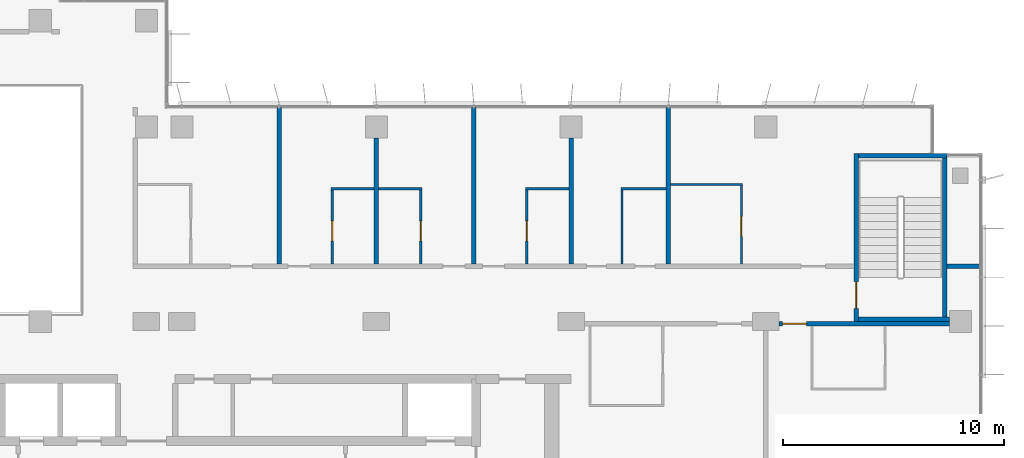
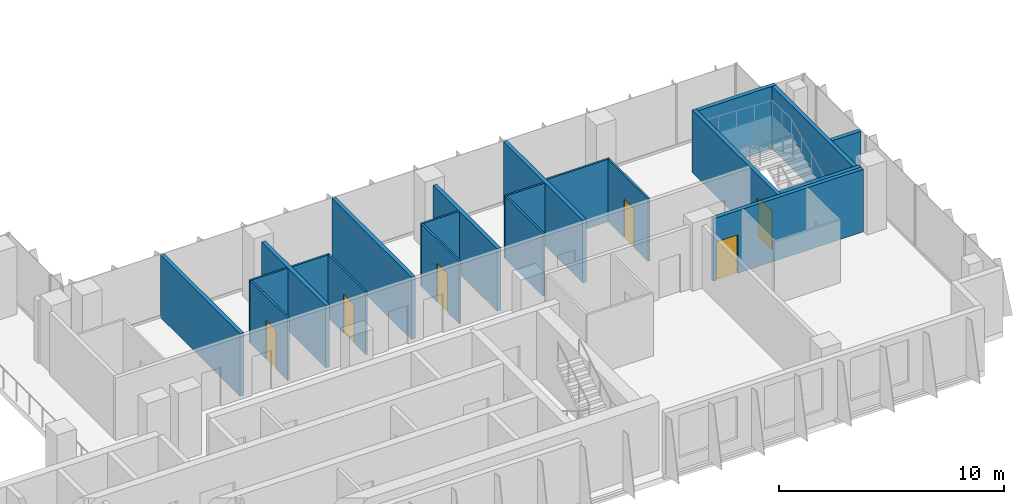
# One storey, part 15 of 21: 21 walls, 6 doors, 6 openings.
"""IFC4 building model written with IfcOpenShell, lengths in metres."""

import ifcopenshell
import ifcopenshell.guid

model = None  # the IFC model being written
_history = None  # IfcOwnerHistory: only IFC2X3 demands one
_inside = {}  # id of a spatial element -> (the spatial element, [elements in it])
_under = {}  # id of a project, library or spatial element -> (it, [spatial elements below it])
_declared = {}  # id of a project -> (the project, [libraries it declares])
_typed = {}  # id of a type object -> (the type object, [elements of that type])
_made_of = {}  # id of a material, layer set ... -> (it, [elements and type objects made of it])


def new_model(schema):
    """Start an empty IFC model of exactly this schema.

    Asked for "IFC4X3", IfcOpenShell would pick the latest addendum, in which some entities
    have other attributes; the version numbers below select the first issue.
    IFC2X3 requires an IfcOwnerHistory on every rooted entity: one is made here for all.
    """
    global model, _history
    if schema == "IFC4X3":
        model = ifcopenshell.file(schema_version=(4, 3, 0, 0))
    else:
        model = ifcopenshell.file(schema=schema)
    _inside.clear()
    _under.clear()
    _declared.clear()
    _typed.clear()
    _made_of.clear()
    _history = None
    if model.schema == "IFC2X3":
        org = make("IfcOrganization", Name="unknown")
        user = make(
            "IfcPersonAndOrganization",
            ThePerson=make("IfcPerson", FamilyName="unknown"),
            TheOrganization=org,
        )
        app = make(
            "IfcApplication",
            ApplicationDeveloper=org,
            Version="unknown",
            ApplicationFullName="unknown",
            ApplicationIdentifier="unknown",
        )
        _history = make(
            "IfcOwnerHistory",
            OwningUser=user,
            OwningApplication=app,
            ChangeAction="ADDED",
            CreationDate=0,
        )
    return model


def make(cls, **values):
    """One entity of the class cls with the attributes given. An attribute that is None is left unset."""
    return model.create_entity(
        cls, **{name: value for name, value in values.items() if value is not None}
    )


def rooted(cls, **values):
    """An entity with a GlobalId (a new one), such as an element, a storey or a relation."""
    return make(cls, GlobalId=ifcopenshell.guid.new(), OwnerHistory=_history, **values)


def si_unit(unit_type, name, prefix=None):
    """IfcSIUnit, for example si_unit("LENGTHUNIT", "METRE", prefix="MILLI")."""
    return make("IfcSIUnit", UnitType=unit_type, Prefix=prefix, Name=name)


def assignment(units):
    """IfcUnitAssignment: the units of a project."""
    return None if units is None else make("IfcUnitAssignment", Units=units)


def point(xyz):
    """IfcCartesianPoint."""
    return None if xyz is None else make("IfcCartesianPoint", Coordinates=xyz)


def direction(xyz):
    """IfcDirection."""
    return None if xyz is None else make("IfcDirection", DirectionRatios=xyz)


def frame(location, z_axis=None, x_axis=None):
    """IfcAxis2Placement3D, a coordinate frame: its origin and axes. An axis left out is left unset."""
    return make(
        "IfcAxis2Placement3D",
        Location=point(location),
        Axis=direction(z_axis),
        RefDirection=direction(x_axis),
    )


def frame_2d(location, x_axis=None):
    """IfcAxis2Placement2D, a coordinate frame in the plane: its origin and x axis."""
    return make(
        "IfcAxis2Placement2D", Location=point(location), RefDirection=direction(x_axis)
    )


def origin():
    """The frame at (0, 0, 0) with its axes left unset."""
    return frame((0.0, 0.0, 0.0))


def place(relative_to, where):
    """IfcLocalPlacement: puts the frame where relative to a parent placement (None: the world)."""
    return make(
        "IfcLocalPlacement", PlacementRelTo=relative_to, RelativePlacement=where
    )


def context(
    kind, dimensions, precision=None, world=None, true_north=None, identifier=None
):
    """IfcGeometricRepresentationContext, for example the 3D "Model" context."""
    return make(
        "IfcGeometricRepresentationContext",
        ContextIdentifier=identifier,
        ContextType=kind,
        CoordinateSpaceDimension=dimensions,
        Precision=precision,
        WorldCoordinateSystem=world,
        TrueNorth=true_north,
    )


def subcontext(parent, identifier, kind, view, scale=None):
    """IfcGeometricRepresentationSubContext, for example "Body" below "Model"."""
    return make(
        "IfcGeometricRepresentationSubContext",
        ContextIdentifier=identifier,
        ContextType=kind,
        ParentContext=parent,
        TargetScale=scale,
        TargetView=view,
    )


def project(units=None, contexts=None):
    """IfcProject with its units and contexts."""
    return rooted(
        "IfcProject",
        Name="project",
        RepresentationContexts=contexts,
        UnitsInContext=assignment(units),
    )


def spatial(cls, under=None, at=None, **own):
    """A site, building, storey or space (cls), placed at a placement, below another one or the project."""
    s = rooted(cls, ObjectPlacement=at, **own)
    if under is not None:
        _under.setdefault(under.id(), (under, []))[1].append(s)
    return s


def profile(cls, at=None, kind="AREA", **sizes):
    """A parametric profile (cls). Its sizes go by their IFC names, for example OverallWidth=200.0."""
    return make(cls, ProfileType=kind, Position=at, **sizes)


def rectangle(**sizes):
    """IfcRectangleProfileDef."""
    return profile("IfcRectangleProfileDef", **sizes)


def extrude(swept, where, along, depth):
    """IfcExtrudedAreaSolid: the profile swept, set in the frame where, extruded along a direction by depth."""
    return make(
        "IfcExtrudedAreaSolid",
        SweptArea=swept,
        Position=where,
        ExtrudedDirection=direction(along),
        Depth=depth,
    )


def shape(context_of_items, identifier, shape_type, items):
    """IfcShapeRepresentation: the items that make up one representation, for example the "Body"."""
    return make(
        "IfcShapeRepresentation",
        ContextOfItems=context_of_items,
        RepresentationIdentifier=identifier,
        RepresentationType=shape_type,
        Items=items,
    )


def material(Name=None, Category=None):
    """IfcMaterial."""
    return make("IfcMaterial", Name=Name, Category=Category)


def layer(
    of_material, thickness, ventilated=None, Name=None, Category=None, Priority=None
):
    """IfcMaterialLayer: one layer of a wall or slab, of a material (None: an air gap)."""
    return make(
        "IfcMaterialLayer",
        Material=of_material,
        LayerThickness=thickness,
        IsVentilated=ventilated,
        Name=Name,
        Category=Category,
        Priority=Priority,
    )


def layer_set(layers, Name=None):
    """IfcMaterialLayerSet."""
    return make("IfcMaterialLayerSet", MaterialLayers=layers, LayerSetName=Name)


def made_of(thing, what):
    """Note that an element or type object is made of a material, layer set ...; save() writes the relation."""
    if what is not None:
        _made_of.setdefault(what.id(), (what, []))[1].append(thing)
    return thing


def type_object(cls, material=None, **own):
    """A type object (cls), such as IfcWallType, which elements share."""
    return made_of(rooted(cls, **own), material)


def element(
    cls,
    number,
    at=None,
    inside=None,
    cuts=None,
    type_object=None,
    material=None,
    context=None,
    identifier="Body",
    shape_type=None,
    held_by="IfcProductDefinitionShape",
    body=None,
    shapes=None,
    **own,
):
    """One element of the class cls, such as IfcWall. Its Tag is "e" and its number.

    at: its placement. inside: the storey or other place that contains it. cuts: it is an
    opening in that element (IfcRelVoidsElement). A single representation is given by context,
    identifier, shape_type and body (its items); several are given by shapes. held_by: the class
    of the entity that holds the representations. save() writes the other relations.
    """
    e = rooted(cls, Tag="e%d" % number, ObjectPlacement=at, **own)
    if body is not None:
        shapes = [shape(context, identifier, shape_type, body)]
    if shapes is not None:
        e.Representation = make(held_by, Representations=shapes)
    if inside is not None:
        _inside.setdefault(inside.id(), (inside, []))[1].append(e)
    if cuts is not None:
        rooted(
            "IfcRelVoidsElement", RelatingBuildingElement=cuts, RelatedOpeningElement=e
        )
    if type_object is not None:
        _typed.setdefault(type_object.id(), (type_object, []))[1].append(e)
    return made_of(e, material)


def fill(opening, filler):
    """IfcRelFillsElement: the door or window that sits in an opening."""
    return rooted(
        "IfcRelFillsElement",
        RelatingOpeningElement=opening,
        RelatedBuildingElement=filler,
    )


def aggregate(whole, parts):
    """IfcRelAggregates: a whole, such as a stair, and the parts it consists of."""
    return rooted("IfcRelAggregates", RelatingObject=whole, RelatedObjects=parts)


def save(model, path):
    """Write the relations noted so far, then the file.

    IfcRelAggregates (storeys below a building ...), IfcRelContainedInSpatialStructure (elements
    in a storey), IfcRelDefinesByType, IfcRelAssociatesMaterial and IfcRelDeclares: one each for
    every whole, place, type object, material and project.
    """
    for whole, parts in _under.values():
        aggregate(whole, parts)
    for where, things in _inside.values():
        rooted(
            "IfcRelContainedInSpatialStructure",
            RelatedElements=things,
            RelatingStructure=where,
        )
    for kind, things in _typed.values():
        rooted("IfcRelDefinesByType", RelatedObjects=things, RelatingType=kind)
    for what, things in _made_of.values():
        rooted("IfcRelAssociatesMaterial", RelatedObjects=things, RelatingMaterial=what)
    for by, libraries in _declared.values():
        rooted("IfcRelDeclares", RelatingContext=by, RelatedDefinitions=libraries)
    model.write(path)


model = new_model("IFC4")

# Units and contexts
model_context = context("Model", 3, precision=1e-05, world=origin(), true_north=direction((0.0, 1.0)))
body_context = subcontext(model_context, "Body", "Model", "MODEL_VIEW")
ifc_project = project(units=[si_unit("LENGTHUNIT", "METRE"), si_unit("AREAUNIT", "SQUARE_METRE"), si_unit("VOLUMEUNIT", "CUBIC_METRE"), si_unit("PLANEANGLEUNIT", "RADIAN"), si_unit("MASSUNIT", "GRAM", prefix="KILO")], contexts=[model_context])

# Site, building, storey
site_placement = place(None, origin())
site = spatial("IfcSite", under=ifc_project, at=site_placement, CompositionType="ELEMENT")
building_placement = place(site_placement, origin())
building = spatial("IfcBuilding", under=site, at=building_placement, Name="Kemantara Hotel Tower", CompositionType="ELEMENT")
storey_placement = place(building_placement, frame((0.0, 0.0, 171.60009765625)))
storey = spatial("IfcBuildingStorey", under=building, at=storey_placement, Name="L42", CompositionType="ELEMENT", Elevation=171.60009765625)

# Wall, opening, door
ifc_material_1 = material(Name="Gypsum board partition, steel studs and mineral wool, 200 mm", Category="steel")
ifc_layer_1 = layer(ifc_material_1, 0.199951171875)
ifc_layer_set_1 = layer_set([ifc_layer_1], Name="Gypsum board partition, steel studs and mineral wool, 200 mm")
wall_type_1 = type_object("IfcWallType", Name="CORRIDOR WALL 200", PredefinedType="PARTITIONING", material=ifc_layer_set_1)
wall_1_placement = place(storey_placement, frame((62.099853515625, 12.10009765625, 0.0), z_axis=(0.0, 0.0, 1.0), x_axis=(-1.0, 0.0, 0.0)))
wall_1 = element("IfcWall", 1, at=wall_1_placement, inside=storey, type_object=wall_type_1, Name="CORRIDOR WALL 200 002", PredefinedType="PARTITIONING", context=body_context, shape_type="SweptSolid", body=[
    extrude(rectangle(XDim=7.69970703125, YDim=0.199951171875, at=frame_2d((3.849853515625, 0.0))), origin(), (0.0, 0.0, 1.0), 3.39990234375),
])
opening_1_placement = place(wall_1_placement, frame((6.449951171875, 0.0, 0.0)))
opening_1 = element("IfcOpeningElement", 2, at=opening_1_placement, cuts=wall_1, Name="Opening F19-003", PredefinedType="OPENING", context=body_context, shape_type="SweptSolid", body=[
    extrude(rectangle(XDim=1.10009765625, YDim=2.10009765625, at=frame_2d((0.550048828125, 1.050048828125))), frame((0.0, 0.10986328125, 0.0), z_axis=(0.0, -1.0, 0.0), x_axis=(1.0, 0.0, 0.0)), (0.0, 0.0, 1.0), 0.219970703125),
])
ifc_material_2 = material(Name="Hardwood veneer door leaf with steel frame", Category="steel")
door_type_1 = type_object("IfcDoorType", Name="SUITE ENTRANCE DOOR 1100 X 2100 FD30S", OperationType="NOTDEFINED", PredefinedType="DOOR", material=ifc_material_2)
door_1_placement = place(opening_1_placement, origin())
door_1 = element("IfcDoor", 3, at=door_1_placement, inside=storey, type_object=door_type_1, Name="SUITE ENTRANCE DOOR F19-003", OperationType="SINGLE_SWING_LEFT", OverallHeight=2.10009765625, OverallWidth=1.10009765625, PredefinedType="DOOR", context=body_context, shape_type="SweptSolid", body=[
    extrude(rectangle(XDim=1.10009765625, YDim=2.10009765625, at=frame_2d((0.550048828125, 1.050048828125))), frame((0.0, 0.02490234375, 0.0), z_axis=(0.0, -1.0, 0.0), x_axis=(1.0, 0.0, 0.0)), (0.0, 0.0, 1.0), 0.050048828125),
])
fill(opening_1, door_1)

# Wall
wall_2_placement = place(storey_placement, frame((62.0, 14.699951171875, 0.0), z_axis=(0.0, 0.0, 1.0), x_axis=(1.0, 0.0, 0.0)))
element("IfcWall", 4, at=wall_2_placement, inside=storey, type_object=wall_type_1, Name="CORRIDOR WALL 200 005", PredefinedType="PARTITIONING", context=body_context, shape_type="SweptSolid", body=[
    extrude(rectangle(XDim=1.47998046875, YDim=0.199951171875, at=frame_2d((0.739990234375, 0.0))), origin(), (0.0, 0.0, 1.0), 3.39990234375),
])

# Wall, opening, door
ifc_material_3 = material(Name="Concrete fc 40 MPa", Category="concrete")
ifc_layer_2 = layer(ifc_material_3, 0.199951171875)
ifc_layer_set_2 = layer_set([ifc_layer_2], Name="Concrete fc 40 MPa")
wall_type_2 = type_object("IfcWallType", Name="Concrete stair wall 200 mm", PredefinedType="SHEAR", material=ifc_layer_set_2)
wall_3_placement = place(storey_placement, frame((57.89990234375, 12.199951171875, 0.0), z_axis=(0.0, 0.0, 1.0), x_axis=(0.0, 1.0, 0.0)))
wall_3 = element("IfcWall", 5, at=wall_3_placement, inside=storey, type_object=wall_type_2, Name="Stair ST3 enclosure wall with door", PredefinedType="SHEAR", context=body_context, shape_type="SweptSolid", body=[
    extrude(rectangle(XDim=7.60009765625, YDim=0.199951171875, at=frame_2d((3.800048828125, 0.0))), origin(), (0.0, 0.0, 1.0), 3.39990234375),
])
opening_2_placement = place(wall_3_placement, frame((0.60009765625, 0.0, 0.0)))
opening_2 = element("IfcOpeningElement", 6, at=opening_2_placement, cuts=wall_3, Name="Opening ST3-C", PredefinedType="OPENING", context=body_context, shape_type="SweptSolid", body=[
    extrude(rectangle(XDim=1.199951171875, YDim=2.10009765625, at=frame_2d((0.60009765625, 1.050048828125))), frame((0.0, 0.10986328125, 0.0), z_axis=(0.0, -1.0, 0.0), x_axis=(1.0, 0.0, 0.0)), (0.0, 0.0, 1.0), 0.219970703125),
])
ifc_material_4 = material(Name="Steel fire door", Category="steel")
door_type_2 = type_object("IfcDoorType", Name="Fire door FD90 1200 x 2100", OperationType="NOTDEFINED", PredefinedType="DOOR", material=ifc_material_4)
door_2_placement = place(opening_2_placement, frame((1.199951171875, 0.0, 0.0), z_axis=(0.0, 0.0, 1.0), x_axis=(-1.0, 0.0, 0.0)))
door_2 = element("IfcDoor", 7, at=door_2_placement, inside=storey, type_object=door_type_2, Name="Stair ST3 door", OperationType="SINGLE_SWING_RIGHT", OverallHeight=2.10009765625, OverallWidth=1.199951171875, PredefinedType="DOOR", context=body_context, shape_type="SweptSolid", body=[
    extrude(rectangle(XDim=1.199951171875, YDim=2.10009765625, at=frame_2d((0.60009765625, 1.050048828125))), frame((0.0, 0.02490234375, 0.0), z_axis=(0.0, -1.0, 0.0), x_axis=(1.0, 0.0, 0.0)), (0.0, 0.0, 1.0), 0.050048828125),
])
fill(opening_2, door_2)

# Walls
wall_4_placement = place(storey_placement, frame((58.0, 19.699951171875, 0.0), z_axis=(0.0, 0.0, 1.0), x_axis=(1.0, 0.0, 0.0)))
element("IfcWall", 8, at=wall_4_placement, inside=storey, type_object=wall_type_2, Name="Stair ST3 enclosure wall N", PredefinedType="SHEAR", context=body_context, shape_type="SweptSolid", body=[
    extrude(rectangle(XDim=4.0, YDim=0.199951171875, at=frame_2d((2.0, 0.0))), origin(), (0.0, 0.0, 1.0), 3.39990234375),
])
wall_5_placement = place(storey_placement, frame((58.0, 12.300048828125, 0.0), z_axis=(0.0, 0.0, 1.0), x_axis=(1.0, 0.0, 0.0)))
element("IfcWall", 9, at=wall_5_placement, inside=storey, type_object=wall_type_2, Name="Stair ST3 enclosure wall S", PredefinedType="SHEAR", context=body_context, shape_type="SweptSolid", body=[
    extrude(rectangle(XDim=4.10009765625, YDim=0.199951171875, at=frame_2d((2.050048828125, 0.0))), origin(), (0.0, 0.0, 1.0), 3.39990234375),
])
wall_6_placement = place(storey_placement, frame((61.89990234375, 12.39990234375, 0.0), z_axis=(0.0, 0.0, 1.0), x_axis=(0.0, 1.0, 0.0)))
element("IfcWall", 10, at=wall_6_placement, inside=storey, type_object=wall_type_2, Name="Stair ST3 enclosure wall E", PredefinedType="SHEAR", context=body_context, shape_type="SweptSolid", body=[
    extrude(rectangle(XDim=7.2001953125, YDim=0.199951171875, at=frame_2d((3.60009765625, 0.0))), origin(), (0.0, 0.0, 1.0), 3.39990234375),
])
ifc_layer_3 = layer(ifc_material_1, 0.199951171875)
ifc_layer_set_3 = layer_set([ifc_layer_3], Name="Gypsum board partition, steel studs and mineral wool, 200 mm")
wall_type_3 = type_object("IfcWallType", Name="GUEST ROOM PARTY WALL 200", PredefinedType="PARTITIONING", material=ifc_layer_set_3)
wall_7_placement = place(storey_placement, frame((31.800048828125, 14.800048828125, 0.0), z_axis=(0.0, 0.0, 1.0), x_axis=(0.0, 1.0, 0.0)))
element("IfcWall", 11, at=wall_7_placement, inside=storey, type_object=wall_type_3, Name="GUEST ROOM PARTY WALL 200 008", PredefinedType="PARTITIONING", context=body_context, shape_type="SweptSolid", body=[
    extrude(rectangle(XDim=7.070068359375, YDim=0.199951171875, at=frame_2d((3.53515625, 0.0))), origin(), (0.0, 0.0, 1.0), 3.39990234375),
])
wall_8_placement = place(storey_placement, frame((36.199951171875, 14.800048828125, 0.0), z_axis=(0.0, 0.0, 1.0), x_axis=(0.0, 1.0, 0.0)))
element("IfcWall", 12, at=wall_8_placement, inside=storey, type_object=wall_type_3, Name="GUEST ROOM PARTY WALL 200 009", PredefinedType="PARTITIONING", context=body_context, shape_type="SweptSolid", body=[
    extrude(rectangle(XDim=5.699951171875, YDim=0.199951171875, at=frame_2d((2.85009765625, 0.0))), origin(), (0.0, 0.0, 1.0), 3.39990234375),
])
wall_9_placement = place(storey_placement, frame((40.60009765625, 14.800048828125, 0.0), z_axis=(0.0, 0.0, 1.0), x_axis=(0.0, 1.0, 0.0)))
element("IfcWall", 13, at=wall_9_placement, inside=storey, type_object=wall_type_3, Name="GUEST ROOM PARTY WALL 200 010", PredefinedType="PARTITIONING", context=body_context, shape_type="SweptSolid", body=[
    extrude(rectangle(XDim=7.070068359375, YDim=0.199951171875, at=frame_2d((3.53515625, 0.0))), origin(), (0.0, 0.0, 1.0), 3.39990234375),
])
wall_10_placement = place(storey_placement, frame((45.0, 14.800048828125, 0.0), z_axis=(0.0, 0.0, 1.0), x_axis=(0.0, 1.0, 0.0)))
element("IfcWall", 14, at=wall_10_placement, inside=storey, type_object=wall_type_3, Name="GUEST ROOM PARTY WALL 200 011", PredefinedType="PARTITIONING", context=body_context, shape_type="SweptSolid", body=[
    extrude(rectangle(XDim=5.699951171875, YDim=0.199951171875, at=frame_2d((2.85009765625, 0.0))), origin(), (0.0, 0.0, 1.0), 3.39990234375),
])
wall_11_placement = place(storey_placement, frame((49.39990234375, 14.800048828125, 0.0), z_axis=(0.0, 0.0, 1.0), x_axis=(0.0, 1.0, 0.0)))
element("IfcWall", 15, at=wall_11_placement, inside=storey, type_object=wall_type_3, Name="GUEST ROOM PARTY WALL 200 012", PredefinedType="PARTITIONING", context=body_context, shape_type="SweptSolid", body=[
    extrude(rectangle(XDim=7.070068359375, YDim=0.199951171875, at=frame_2d((3.53515625, 0.0))), origin(), (0.0, 0.0, 1.0), 3.39990234375),
])
ifc_material_5 = material(Name="Gypsum board partition on steel studs, 100 mm", Category="steel")
ifc_layer_4 = layer(ifc_material_5, 0.10009765625)
ifc_layer_set_4 = layer_set([ifc_layer_4], Name="Gypsum board partition on steel studs, 100 mm")
wall_type_4 = type_object("IfcWallType", Name="ROOM PARTITION 100", PredefinedType="PARTITIONING", material=ifc_layer_set_4)
wall_12_placement = place(storey_placement, frame((49.5, 18.39990234375, 0.0), z_axis=(0.0, 0.0, 1.0), x_axis=(1.0, 0.0, 0.0)))
element("IfcWall", 16, at=wall_12_placement, inside=storey, type_object=wall_type_4, Name="ROOM PARTITION 100 038", PredefinedType="PARTITIONING", context=body_context, shape_type="SweptSolid", body=[
    extrude(rectangle(XDim=3.25, YDim=0.10009765625, at=frame_2d((1.625, 0.0))), origin(), (0.0, 0.0, 1.0), 3.39990234375),
])
wall_13_placement = place(storey_placement, frame((34.14990234375, 18.199951171875, 0.0), z_axis=(0.0, 0.0, 1.0), x_axis=(1.0, 0.0, 0.0)))
element("IfcWall", 17, at=wall_13_placement, inside=storey, type_object=wall_type_4, Name="ROOM PARTITION 100 040", PredefinedType="PARTITIONING", context=body_context, shape_type="SweptSolid", body=[
    extrude(rectangle(XDim=1.9501953125, YDim=0.10009765625, at=frame_2d((0.97509765625, 0.0))), origin(), (0.0, 0.0, 1.0), 3.39990234375),
])
for number, where, z_axis, x_axis, name in (
    (18, (36.300048828125, 18.199951171875, 0.0), (0.0, 0.0, 1.0), (1.0, 0.0, 0.0), "ROOM PARTITION 100 041"),
    (19, (42.949951171875, 18.199951171875, 0.0), (0.0, 0.0, 1.0), (1.0, 0.0, 0.0), "ROOM PARTITION 100 042"),
):
    element("IfcWall", number, at=place(storey_placement, frame(where, z_axis=z_axis, x_axis=x_axis)), inside=storey, type_object=wall_type_4, Name=name, PredefinedType="PARTITIONING", context=body_context, shape_type="SweptSolid", body=[
        extrude(rectangle(XDim=1.949951171875, YDim=0.10009765625, at=frame_2d((0.97509765625, 0.0))), origin(), (0.0, 0.0, 1.0), 3.39990234375),
    ])
wall_14_placement = place(storey_placement, frame((47.25, 18.199951171875, 0.0), z_axis=(0.0, 0.0, 1.0), x_axis=(1.0, 0.0, 0.0)))
element("IfcWall", 20, at=wall_14_placement, inside=storey, type_object=wall_type_4, Name="ROOM PARTITION 100 043", PredefinedType="PARTITIONING", context=body_context, shape_type="SweptSolid", body=[
    extrude(rectangle(XDim=2.050048828125, YDim=0.10009765625, at=frame_2d((1.02490234375, 0.0))), origin(), (0.0, 0.0, 1.0), 3.39990234375),
])

# Wall, opening, door
wall_15_placement = place(storey_placement, frame((34.199951171875, 18.14990234375, 0.0), z_axis=(0.0, 0.0, 1.0), x_axis=(0.0, -1.0, 0.0)))
wall_15 = element("IfcWall", 21, at=wall_15_placement, inside=storey, type_object=wall_type_4, Name="ROOM PARTITION 100 044", PredefinedType="PARTITIONING", context=body_context, shape_type="SweptSolid", body=[
    extrude(rectangle(XDim=3.349853515625, YDim=0.10009765625, at=frame_2d((1.6748046875, 0.0))), origin(), (0.0, 0.0, 1.0), 3.39990234375),
])
opening_3_placement = place(wall_15_placement, frame((1.39990234375, 0.0, 0.0)))
opening_3 = element("IfcOpeningElement", 22, at=opening_3_placement, cuts=wall_15, Name="Opening F19-008", PredefinedType="OPENING", context=body_context, shape_type="SweptSolid", body=[
    extrude(rectangle(XDim=0.89990234375, YDim=2.10009765625, at=frame_2d((0.449951171875, 1.050048828125))), frame((0.0, 0.06005859375, 0.0), z_axis=(0.0, -1.0, 0.0), x_axis=(1.0, 0.0, 0.0)), (0.0, 0.0, 1.0), 0.1201171875),
])
door_type_3 = type_object("IfcDoorType", Name="BATHROOM DOOR 900 X 2100", OperationType="NOTDEFINED", PredefinedType="DOOR", material=ifc_material_2)
door_3_placement = place(opening_3_placement, origin())
door_3 = element("IfcDoor", 23, at=door_3_placement, inside=storey, type_object=door_type_3, Name="BATHROOM DOOR F19-008", OperationType="SINGLE_SWING_RIGHT", OverallHeight=2.10009765625, OverallWidth=0.89990234375, PredefinedType="DOOR", context=body_context, shape_type="SweptSolid", body=[
    extrude(rectangle(XDim=0.89990234375, YDim=2.10009765625, at=frame_2d((0.449951171875, 1.050048828125))), frame((0.0, 0.02490234375, 0.0), z_axis=(0.0, -1.0, 0.0), x_axis=(1.0, 0.0, 0.0)), (0.0, 0.0, 1.0), 0.050048828125),
])
fill(opening_3, door_3)

wall_16_placement = place(storey_placement, frame((38.199951171875, 14.800048828125, 0.0), z_axis=(0.0, 0.0, 1.0), x_axis=(0.0, 1.0, 0.0)))
wall_16 = element("IfcWall", 24, at=wall_16_placement, inside=storey, type_object=wall_type_4, Name="ROOM PARTITION 100 045", PredefinedType="PARTITIONING", context=body_context, shape_type="SweptSolid", body=[
    extrude(rectangle(XDim=3.349853515625, YDim=0.10009765625, at=frame_2d((1.6748046875, 0.0))), origin(), (0.0, 0.0, 1.0), 3.39990234375),
])
opening_4_placement = place(wall_16_placement, frame((1.050048828125, 0.0, 0.0)))
opening_4 = element("IfcOpeningElement", 25, at=opening_4_placement, cuts=wall_16, Name="Opening F19-010", PredefinedType="OPENING", context=body_context, shape_type="SweptSolid", body=[
    extrude(rectangle(XDim=0.89990234375, YDim=2.10009765625, at=frame_2d((0.449951171875, 1.050048828125))), frame((0.0, 0.06005859375, 0.0), z_axis=(0.0, -1.0, 0.0), x_axis=(1.0, 0.0, 0.0)), (0.0, 0.0, 1.0), 0.1201171875),
])
door_4_placement = place(opening_4_placement, origin())
door_4 = element("IfcDoor", 26, at=door_4_placement, inside=storey, type_object=door_type_3, Name="BATHROOM DOOR F19-010", OperationType="SINGLE_SWING_LEFT", OverallHeight=2.10009765625, OverallWidth=0.89990234375, PredefinedType="DOOR", context=body_context, shape_type="SweptSolid", body=[
    extrude(rectangle(XDim=0.89990234375, YDim=2.10009765625, at=frame_2d((0.449951171875, 1.050048828125))), frame((0.0, 0.02490234375, 0.0), z_axis=(0.0, -1.0, 0.0), x_axis=(1.0, 0.0, 0.0)), (0.0, 0.0, 1.0), 0.050048828125),
])
fill(opening_4, door_4)

wall_17_placement = place(storey_placement, frame((43.0, 18.14990234375, 0.0), z_axis=(0.0, 0.0, 1.0), x_axis=(0.0, -1.0, 0.0)))
wall_17 = element("IfcWall", 27, at=wall_17_placement, inside=storey, type_object=wall_type_4, Name="ROOM PARTITION 100 046", PredefinedType="PARTITIONING", context=body_context, shape_type="SweptSolid", body=[
    extrude(rectangle(XDim=3.349853515625, YDim=0.10009765625, at=frame_2d((1.6748046875, 0.0))), origin(), (0.0, 0.0, 1.0), 3.39990234375),
])
opening_5_placement = place(wall_17_placement, frame((1.39990234375, 0.0, 0.0)))
opening_5 = element("IfcOpeningElement", 28, at=opening_5_placement, cuts=wall_17, Name="Opening F19-012", PredefinedType="OPENING", context=body_context, shape_type="SweptSolid", body=[
    extrude(rectangle(XDim=0.89990234375, YDim=2.10009765625, at=frame_2d((0.449951171875, 1.050048828125))), frame((0.0, 0.06005859375, 0.0), z_axis=(0.0, -1.0, 0.0), x_axis=(1.0, 0.0, 0.0)), (0.0, 0.0, 1.0), 0.1201171875),
])
door_5_placement = place(opening_5_placement, origin())
door_5 = element("IfcDoor", 29, at=door_5_placement, inside=storey, type_object=door_type_3, Name="BATHROOM DOOR F19-012", OperationType="SINGLE_SWING_RIGHT", OverallHeight=2.10009765625, OverallWidth=0.89990234375, PredefinedType="DOOR", context=body_context, shape_type="SweptSolid", body=[
    extrude(rectangle(XDim=0.89990234375, YDim=2.10009765625, at=frame_2d((0.449951171875, 1.050048828125))), frame((0.0, 0.02490234375, 0.0), z_axis=(0.0, -1.0, 0.0), x_axis=(1.0, 0.0, 0.0)), (0.0, 0.0, 1.0), 0.050048828125),
])
fill(opening_5, door_5)

# Wall
wall_18_placement = place(storey_placement, frame((47.300048828125, 14.800048828125, 0.0), z_axis=(0.0, 0.0, 1.0), x_axis=(0.0, 1.0, 0.0)))
element("IfcWall", 30, at=wall_18_placement, inside=storey, type_object=wall_type_4, Name="ROOM PARTITION 100 047", PredefinedType="PARTITIONING", context=body_context, shape_type="SweptSolid", body=[
    extrude(rectangle(XDim=3.349853515625, YDim=0.10009765625, at=frame_2d((1.6748046875, 0.0))), origin(), (0.0, 0.0, 1.0), 3.39990234375),
])

# Wall, opening, door
wall_19_placement = place(storey_placement, frame((52.699951171875, 14.800048828125, 0.0), z_axis=(0.0, 0.0, 1.0), x_axis=(0.0, 1.0, 0.0)))
wall_19 = element("IfcWall", 31, at=wall_19_placement, inside=storey, type_object=wall_type_4, Name="ROOM PARTITION 100 048", PredefinedType="PARTITIONING", context=body_context, shape_type="SweptSolid", body=[
    extrude(rectangle(XDim=3.550048828125, YDim=0.10009765625, at=frame_2d((1.77490234375, 0.0))), origin(), (0.0, 0.0, 1.0), 3.39990234375),
])
opening_6_placement = place(wall_19_placement, frame((1.25, 0.0, 0.0)))
opening_6 = element("IfcOpeningElement", 32, at=opening_6_placement, cuts=wall_19, Name="Opening F19-016", PredefinedType="OPENING", context=body_context, shape_type="SweptSolid", body=[
    extrude(rectangle(XDim=0.89990234375, YDim=2.10009765625, at=frame_2d((0.449951171875, 1.050048828125))), frame((0.0, 0.06005859375, 0.0), z_axis=(0.0, -1.0, 0.0), x_axis=(1.0, 0.0, 0.0)), (0.0, 0.0, 1.0), 0.1201171875),
])
door_6_placement = place(opening_6_placement, origin())
door_6 = element("IfcDoor", 33, at=door_6_placement, inside=storey, type_object=door_type_3, Name="BATHROOM DOOR F19-016", OperationType="SINGLE_SWING_LEFT", OverallHeight=2.10009765625, OverallWidth=0.89990234375, PredefinedType="DOOR", context=body_context, shape_type="SweptSolid", body=[
    extrude(rectangle(XDim=0.89990234375, YDim=2.10009765625, at=frame_2d((0.449951171875, 1.050048828125))), frame((0.0, 0.02490234375, 0.0), z_axis=(0.0, -1.0, 0.0), x_axis=(1.0, 0.0, 0.0)), (0.0, 0.0, 1.0), 0.050048828125),
])
fill(opening_6, door_6)

save(model, "model.ifc")
